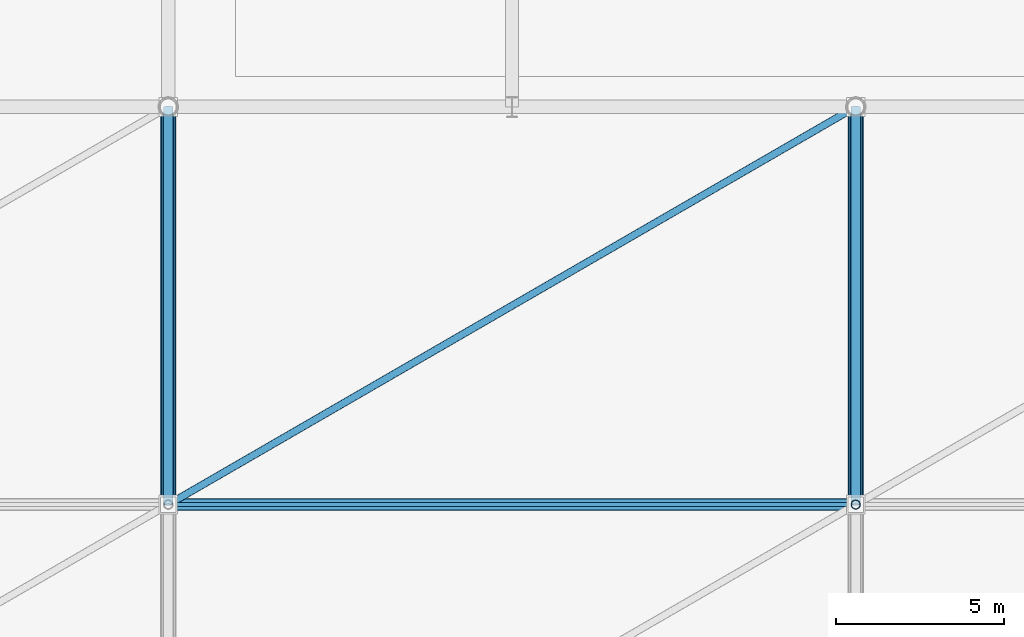
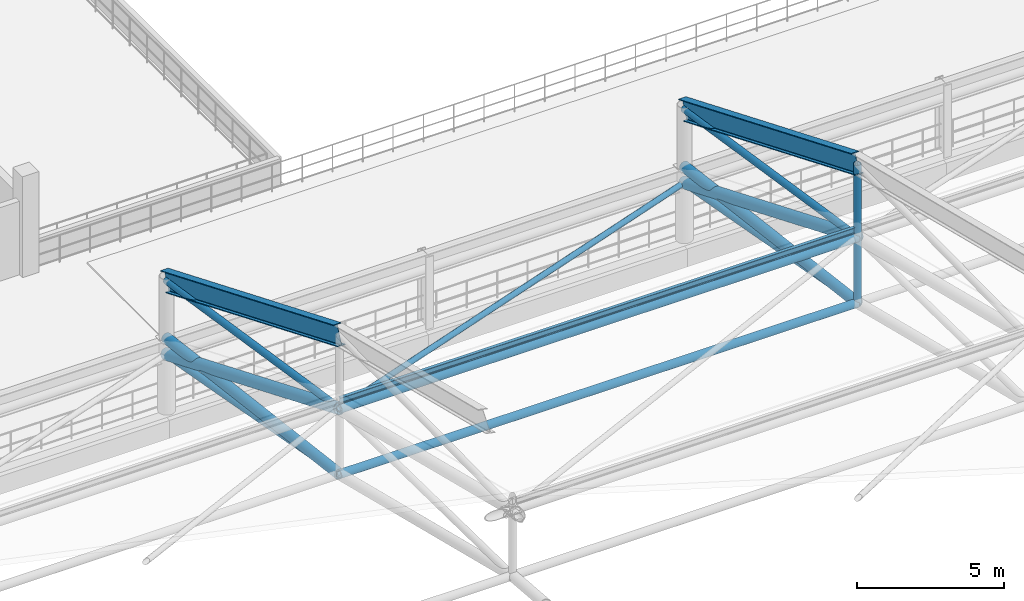
# One storey, part 42 of 135: 14 members, 2 beams.
"""IFC4 building model written with IfcOpenShell, lengths in metres."""

from ifc_helpers import new_model, si_unit, direction, frame, origin, origin_2d, place, context, subcontext, project, spatial, hollow_circle, i_section, extrude, material, material_profile, profile_set, type_object, element, save


model = new_model("IFC4")

# Units and contexts
model_context = context("Model", 3, precision=1e-05, world=origin(), true_north=direction((0.0, 1.0)))
body_context = subcontext(model_context, "Body", "Model", "MODEL_VIEW")
ifc_project = project(units=[si_unit("LENGTHUNIT", "METRE"), si_unit("AREAUNIT", "SQUARE_METRE"), si_unit("VOLUMEUNIT", "CUBIC_METRE"), si_unit("PLANEANGLEUNIT", "RADIAN"), si_unit("MASSUNIT", "GRAM", prefix="KILO")], contexts=[model_context])

# Site, building, storey
site_placement = place(None, origin())
site = spatial("IfcSite", under=ifc_project, at=site_placement, CompositionType="ELEMENT")
building_placement = place(site_placement, origin())
building = spatial("IfcBuilding", under=site, at=building_placement, Name="Brelvane Convention Centre", CompositionType="ELEMENT")
storey_placement = place(building_placement, frame((0.0, 0.0, 15.0)))
storey = spatial("IfcBuildingStorey", under=building, at=storey_placement, Name="L03", CompositionType="ELEMENT", Elevation=15.0)

# Beams
ifc_material_1 = material(Name="Steel E450 (450 MPa)", Category="steel")
ifc_material_profile_1 = material_profile(ifc_material_1, i_section(OverallWidth=0.300048828125, OverallDepth=0.800048828125, WebThickness=0.015380859375, FlangeThickness=0.030029296875, FilletRadius=0.027099609375, at=origin_2d()), Name="NPB 800x300")
ifc_profile_set_1 = profile_set([ifc_material_profile_1], Name="Steel E450 (450 MPa)")
beam_type = type_object("IfcBeamType", Name="Steel Beam B-ST2 (NPB 800x300)", PredefinedType="BEAM", material=ifc_profile_set_1)
for number, where, z_axis, x_axis, name in (
    (1, (102.0, 87.800048828125, 10.288818359375), (0.0, 0.923846983903, -0.382762002207), (-1.0, 0.0, 0.0), "EXO_EXH Exoskeletal Arch Girder 6.6"),
    (2, (122.39990234375, 87.800048828125, 10.288818359375), (0.0, 0.923846983903, -0.382762002207), (-1.0, 0.0, 0.0), "EXO_EXH Exoskeletal Arch Girder 7.6"),
):
    element("IfcBeam", number, at=place(storey_placement, frame(where, z_axis=z_axis, x_axis=x_axis)), inside=storey, type_object=beam_type, Name=name, PredefinedType="BEAM", context=body_context, shape_type="SweptSolid", body=[
        extrude(i_section(OverallWidth=0.300048828125, OverallDepth=0.800048828125, WebThickness=0.015380859375, FlangeThickness=0.030029296875, FilletRadius=0.027099609375, at=origin_2d()), origin(), (0.0, 0.0, 1.0), 12.772705078125),
    ])

# Members
ifc_material_2 = material(Name="Steel E350 (350 MPa)", Category="steel")
ifc_material_profile_2 = material_profile(ifc_material_2, hollow_circle(Radius=0.136474609375, WallThickness=0.012451171875, at=origin_2d()), Name="CHS 273.0x12.5")
ifc_profile_set_2 = profile_set([ifc_material_profile_2], Name="Steel E350 (350 MPa)")
member_type_1 = type_object("IfcMemberType", Name="Steel Brace SF-DG1 (CHS 273.0x12.5)", PredefinedType="BRACE", material=ifc_profile_set_2)
for number, where, z_axis, x_axis, name in (
    (3, (102.0, 87.800048828125, 4.489013671875), (0.0, 0.983819064294, -0.179164864666), (-1.0, 0.0, 0.0), "SF_EXH Space-Frame Web Diagonal D6.6"),
    (4, (122.39990234375, 87.800048828125, 4.489013671875), (0.0, 0.983819064294, -0.179164864666), (-1.0, 0.0, 0.0), "SF_EXH Space-Frame Web Diagonal D7.6"),
):
    element("IfcMember", number, at=place(storey_placement, frame(where, z_axis=z_axis, x_axis=x_axis)), inside=storey, type_object=member_type_1, Name=name, PredefinedType="BRACE", context=body_context, shape_type="SweptSolid", body=[
        extrude(hollow_circle(Radius=0.136474609375, WallThickness=0.012451171875, at=origin_2d()), origin(), (0.0, 0.0, 1.0), 11.994140625),
    ])
for number, where, z_axis, x_axis, name in (
    (5, (102.0, 87.800048828125, 7.22900390625), (0.0, 0.988198514394, -0.153178641298), (-1.0, 0.0, 0.0), "EXO_EXH Exoskeletal Arch Web 6.6"),
    (6, (122.39990234375, 87.800048828125, 7.22900390625), (0.0, 0.988198514394, -0.153178641298), (-1.0, 0.0, 0.0), "EXO_EXH Exoskeletal Arch Web 7.6"),
):
    element("IfcMember", number, at=place(storey_placement, frame(where, z_axis=z_axis, x_axis=x_axis)), inside=storey, type_object=member_type_1, Name=name, PredefinedType="BRACE", context=body_context, shape_type="SweptSolid", body=[
        extrude(hollow_circle(Radius=0.136474609375, WallThickness=0.012451171875, at=origin_2d()), origin(), (0.0, 0.0, 1.0), 11.94091796875),
    ])
ifc_material_3 = material(Name="Steel E350 (350 MPa)", Category="steel")
ifc_material_profile_3 = material_profile(ifc_material_3, hollow_circle(Radius=0.109619140625, WallThickness=0.010009765625, at=origin_2d()), Name="CHS 219.1x10.0")
ifc_profile_set_3 = profile_set([ifc_material_profile_3], Name="Steel E350 (350 MPa)")
member_type_2 = type_object("IfcMemberType", Name="Steel Brace SF-DG2 (CHS 219.1x10.0)", PredefinedType="BRACE", material=ifc_profile_set_3)
member_1_placement = place(storey_placement, frame((102.0, 87.800048828125, 7.22900390625), z_axis=(0.847572434082, 0.490266862018, -0.203124033516), x_axis=(-0.500705052683, 0.865617958581, 0.0)))
element("IfcMember", 7, at=member_1_placement, inside=storey, type_object=member_type_2, Name="SF_EXH Roof Diaphragm Brace PB6.6", PredefinedType="BRACE", context=body_context, shape_type="SweptSolid", body=[
    extrude(hollow_circle(Radius=0.109619140625, WallThickness=0.010009765625, at=origin_2d()), origin(), (0.0, 0.0, 1.0), 24.068603515625),
])
ifc_material_4 = material(Name="Steel E450 (450 MPa)", Category="steel")
ifc_material_profile_4 = material_profile(ifc_material_4, hollow_circle(Radius=0.203125, WallThickness=0.01611328125, at=origin_2d()), Name="CHS 406.4x16.0")
ifc_profile_set_4 = profile_set([ifc_material_profile_4], Name="Steel E450 (450 MPa)")
member_type_3 = type_object("IfcMemberType", Name="Steel Chord SF-BC1 (CHS 406.4x16.0)", PredefinedType="CHORD", material=ifc_profile_set_4)
for number, where, z_axis, x_axis, name in (
    (8, (102.0, 87.800048828125, 4.489013671875), (0.0, 0.992132246813, -0.125194268374), (-1.0, 0.0, 0.0), "SF_EXH Space-Frame Bottom Chord B6.6"),
    (9, (122.39990234375, 87.800048828125, 4.489013671875), (0.0, 0.992132246813, -0.125194268374), (-1.0, 0.0, 0.0), "SF_EXH Space-Frame Bottom Chord B7.6"),
):
    element("IfcMember", number, at=place(storey_placement, frame(where, z_axis=z_axis, x_axis=x_axis)), inside=storey, type_object=member_type_3, Name=name, PredefinedType="CHORD", context=body_context, shape_type="SweptSolid", body=[
        extrude(hollow_circle(Radius=0.203125, WallThickness=0.01611328125, at=origin_2d()), origin(), (0.0, 0.0, 1.0), 11.8935546875),
    ])
ifc_material_5 = material(Name="Steel E350 (350 MPa)", Category="steel")
ifc_material_profile_5 = material_profile(ifc_material_5, hollow_circle(Radius=0.161865234375, WallThickness=0.012451171875, at=origin_2d()), Name="CHS 323.9x12.5")
ifc_profile_set_5 = profile_set([ifc_material_profile_5], Name="Steel E350 (350 MPa)")
member_type_4 = type_object("IfcMemberType", Name="Steel Chord SF-BC2 (CHS 323.9x12.5)", PredefinedType="CHORD", material=ifc_profile_set_5)
member_2_placement = place(storey_placement, frame((102.0, 87.800048828125, 4.489013671875), z_axis=(1.0, 0.0, 0.0), x_axis=(0.0, 1.0, 0.0)))
element("IfcMember", 10, at=member_2_placement, inside=storey, type_object=member_type_4, Name="SF_EXH Longitudinal Bottom Chord LB6.6", PredefinedType="CHORD", context=body_context, shape_type="SweptSolid", body=[
    extrude(hollow_circle(Radius=0.161865234375, WallThickness=0.012451171875, at=origin_2d()), origin(), (0.0, 0.0, 1.0), 20.39990234375),
])
ifc_material_6 = material(Name="Steel E450 (450 MPa)", Category="steel")
ifc_material_profile_6 = material_profile(ifc_material_6, hollow_circle(Radius=0.228515625, WallThickness=0.02001953125, at=origin_2d()), Name="CHS 457.0x20.0")
ifc_profile_set_6 = profile_set([ifc_material_profile_6], Name="Steel E450 (450 MPa)")
member_type_5 = type_object("IfcMemberType", Name="Steel Chord SF-TC1 (CHS 457.0x20.0)", PredefinedType="CHORD", material=ifc_profile_set_6)
for number, where, z_axis, x_axis, name in (
    (11, (102.0, 87.800048828125, 7.22900390625), (0.0, 0.923846983903, -0.382762002207), (-1.0, 0.0, 0.0), "SF_EXH Space-Frame Top Chord T6.6"),
    (12, (122.39990234375, 87.800048828125, 7.22900390625), (0.0, 0.923846983903, -0.382762002207), (-1.0, 0.0, 0.0), "SF_EXH Space-Frame Top Chord T7.6"),
):
    element("IfcMember", number, at=place(storey_placement, frame(where, z_axis=z_axis, x_axis=x_axis)), inside=storey, type_object=member_type_5, Name=name, PredefinedType="CHORD", context=body_context, shape_type="SweptSolid", body=[
        extrude(hollow_circle(Radius=0.228515625, WallThickness=0.02001953125, at=origin_2d()), origin(), (0.0, 0.0, 1.0), 12.772705078125),
    ])
ifc_material_7 = material(Name="Steel E450 (450 MPa)", Category="steel")
ifc_material_profile_7 = material_profile(ifc_material_7, hollow_circle(Radius=0.177734375, WallThickness=0.01611328125, at=origin_2d()), Name="CHS 355.6x16.0")
ifc_profile_set_7 = profile_set([ifc_material_profile_7], Name="Steel E450 (450 MPa)")
member_type_6 = type_object("IfcMemberType", Name="Steel Chord SF-TC2 (CHS 355.6x16.0)", PredefinedType="CHORD", material=ifc_profile_set_7)
member_3_placement = place(storey_placement, frame((102.0, 87.800048828125, 7.22900390625), z_axis=(1.0, 0.0, 0.0), x_axis=(0.0, 1.0, 0.0)))
element("IfcMember", 13, at=member_3_placement, inside=storey, type_object=member_type_6, Name="SF_EXH Longitudinal Top Chord LT6.6", PredefinedType="CHORD", context=body_context, shape_type="SweptSolid", body=[
    extrude(hollow_circle(Radius=0.177734375, WallThickness=0.01611328125, at=origin_2d()), origin(), (0.0, 0.0, 1.0), 20.39990234375),
])
ifc_material_8 = material(Name="Steel E350 (350 MPa)", Category="steel")
ifc_material_profile_8 = material_profile(ifc_material_8, i_section(OverallWidth=0.125, OverallDepth=0.25, WebThickness=0.0068359375, FlangeThickness=0.012451171875, FilletRadius=0.012939453125, at=origin_2d()), Name="ISMB 250")
ifc_profile_set_8 = profile_set([ifc_material_profile_8], Name="Steel E350 (350 MPa)")
member_type_7 = type_object("IfcMemberType", Name="Steel Purlin PR-ST1 (ISMB 250)", PredefinedType="PURLIN", material=ifc_profile_set_8)
member_4_placement = place(storey_placement, frame((102.0, 87.800048828125, 7.56396484375), z_axis=(1.0, 0.0, 0.0), x_axis=(0.0, 1.0, 0.0)))
element("IfcMember", 14, at=member_4_placement, inside=storey, type_object=member_type_7, Name="SF_EXH Roof Purlin P6.6", PredefinedType="PURLIN", context=body_context, shape_type="SweptSolid", body=[
    extrude(i_section(OverallWidth=0.125, OverallDepth=0.25, WebThickness=0.0068359375, FlangeThickness=0.012451171875, FilletRadius=0.012939453125, at=origin_2d()), origin(), (0.0, 0.0, 1.0), 20.39990234375),
])
ifc_material_9 = material(Name="Steel E350 (350 MPa)", Category="steel")
ifc_material_profile_9 = material_profile(ifc_material_9, hollow_circle(Radius=0.136474609375, WallThickness=0.012451171875, at=origin_2d()), Name="CHS 273.0x12.5")
ifc_profile_set_9 = profile_set([ifc_material_profile_9], Name="Steel E350 (350 MPa)")
member_type_8 = type_object("IfcMemberType", Name="Steel Strut SF-VT1 (CHS 273.0x12.5)", PredefinedType="STRUT", material=ifc_profile_set_9)
member_5_placement = place(storey_placement, frame((122.39990234375, 87.800048828125, 4.489013671875), z_axis=(0.0, 0.0, 1.0), x_axis=(1.0, 0.0, 0.0)))
element("IfcMember", 15, at=member_5_placement, inside=storey, type_object=member_type_8, Name="SF_EXH Space-Frame Post V7.5", PredefinedType="STRUT", context=body_context, shape_type="SweptSolid", body=[
    extrude(hollow_circle(Radius=0.136474609375, WallThickness=0.012451171875, at=origin_2d()), origin(), (0.0, 0.0, 1.0), 2.739990234375),
])
member_6_placement = place(storey_placement, frame((122.39990234375, 87.800048828125, 7.22900390625), z_axis=(0.0, 0.0, 1.0), x_axis=(1.0, 0.0, 0.0)))
element("IfcMember", 16, at=member_6_placement, inside=storey, type_object=member_type_8, Name="EXO_EXH Roof Suspension Hanger 7.5", PredefinedType="STRUT", context=body_context, shape_type="SweptSolid", body=[
    extrude(hollow_circle(Radius=0.136474609375, WallThickness=0.012451171875, at=origin_2d()), origin(), (0.0, 0.0, 1.0), 3.059814453125),
])

save(model, "model.ifc")
